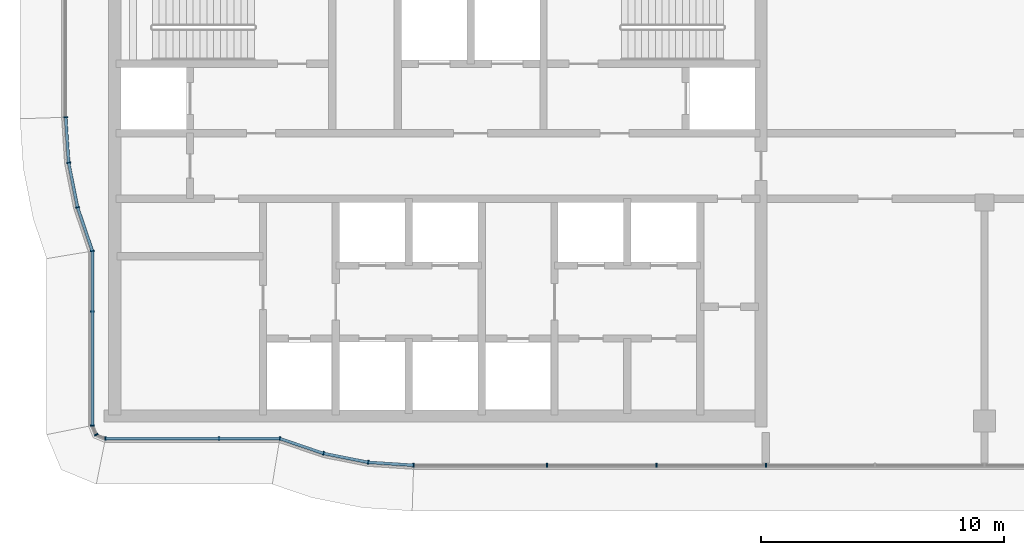
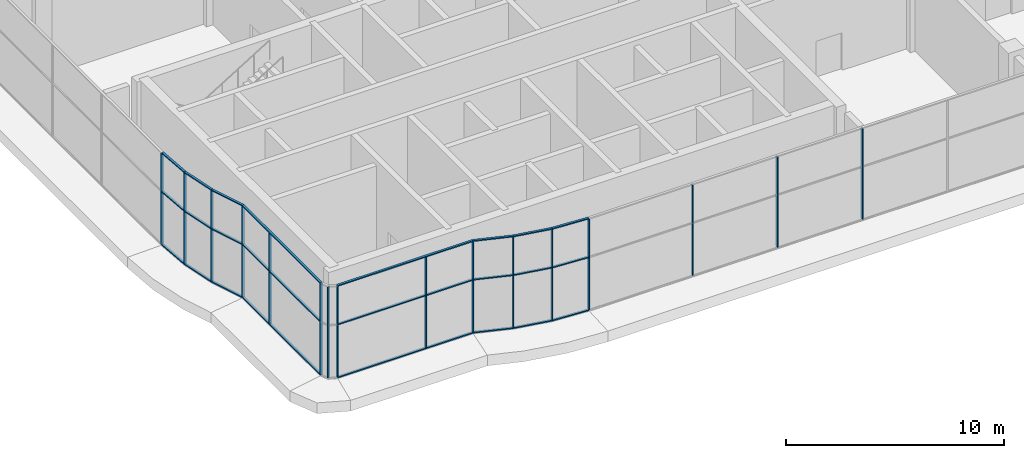
# One storey, part 2 of 23: 40 members, 7 elements without a shape of their own.
"""IFC4 building model written with IfcOpenShell, lengths in metres."""

from ifc_helpers import new_model, si_unit, direction, frame, origin, origin_2d, place, context, subcontext, project, spatial, rectangle, extrude, material, material_profile, profile_set, type_object, element, aggregate, save


model = new_model("IFC4")

# Units and contexts
model_context = context("Model", 3, precision=1e-05, world=origin(), true_north=direction((0.0, 1.0)))
body_context = subcontext(model_context, "Body", "Model", "MODEL_VIEW")
ifc_project = project(units=[si_unit("LENGTHUNIT", "METRE"), si_unit("AREAUNIT", "SQUARE_METRE"), si_unit("VOLUMEUNIT", "CUBIC_METRE"), si_unit("PLANEANGLEUNIT", "RADIAN"), si_unit("MASSUNIT", "GRAM", prefix="KILO")], contexts=[model_context])

# Site, building, storey
site_placement = place(None, origin())
site = spatial("IfcSite", under=ifc_project, at=site_placement, CompositionType="ELEMENT")
building_placement = place(site_placement, origin())
building = spatial("IfcBuilding", under=site, at=building_placement, Name="Ogive Portal Towers", CompositionType="ELEMENT")
storey_placement = place(building_placement, frame((0.0, 0.0, 249.39990234375)))
storey = spatial("IfcBuildingStorey", under=building, at=storey_placement, Name="L62", CompositionType="ELEMENT", Elevation=249.39990234375)

# Curtain wall, members
ifc_material_1 = material(Name="Glass, clear low-iron insulated glazing", Category="glass")
curtain_wall_type = type_object("IfcCurtainWallType", Name="CW OBSERVATION WALL", PredefinedType="NOTDEFINED", material=ifc_material_1)
curtain_wall_1_placement = place(storey_placement, origin())
curtain_wall_1 = element("IfcCurtainWall", 1, at=curtain_wall_1_placement, inside=storey, type_object=curtain_wall_type, Name="A:L62:f00:cw0", PredefinedType="NOTDEFINED")
ifc_material_2 = material(Name="Aluminium 6063 anodised", Category="aluminium")
ifc_material_profile_1 = material_profile(ifc_material_2, rectangle(XDim=0.159912109375, YDim=0.06005859375, at=origin_2d()), Name="AL 60x160")
ifc_profile_set_1 = profile_set([ifc_material_profile_1], Name="Aluminium 6063 anodised")
member_type_1 = type_object("IfcMemberType", Name="CW MULLION 60x160", PredefinedType="MULLION", material=ifc_profile_set_1)
member_1_placement = place(storey_placement, frame((30.780029296875, 28.494873046875, 0.06005859375), z_axis=(0.0, 0.0, 1.0), x_axis=(1.0, 0.0, 0.0)))
member_1 = element("IfcMember", 2, at=member_1_placement, type_object=member_type_1, Name="mullion", PredefinedType="MULLION", context=body_context, shape_type="SweptSolid", body=[
    extrude(rectangle(XDim=0.159912109375, YDim=0.06005859375, at=origin_2d()), origin(), (0.0, 0.0, 1.0), 5.080078125),
])
member_2_placement = place(storey_placement, frame((30.780029296875, 26.0, 0.06005859375), z_axis=(0.0, 0.0, 1.0), x_axis=(1.0, 0.0, 0.0)))
member_2 = element("IfcMember", 3, at=member_2_placement, type_object=member_type_1, Name="mullion", PredefinedType="MULLION", context=body_context, shape_type="SweptSolid", body=[
    extrude(rectangle(XDim=0.159912109375, YDim=0.06005859375, at=origin_2d()), origin(), (0.0, 0.0, 1.0), 5.080078125),
])
member_3_placement = place(storey_placement, frame((30.780029296875, 21.31591796875, 0.06005859375), z_axis=(0.0, 0.0, 1.0), x_axis=(1.0, 0.0, 0.0)))
member_3 = element("IfcMember", 4, at=member_3_placement, type_object=member_type_1, Name="mullion", PredefinedType="MULLION", context=body_context, shape_type="SweptSolid", body=[
    extrude(rectangle(XDim=0.159912109375, YDim=0.06005859375, at=origin_2d()), origin(), (0.0, 0.0, 1.0), 5.080078125),
])

curtain_wall_2_placement = place(storey_placement, origin())
curtain_wall_2 = element("IfcCurtainWall", 5, at=curtain_wall_2_placement, inside=storey, type_object=curtain_wall_type, Name="A:L62:f03:cw0", PredefinedType="NOTDEFINED")
member_4_placement = place(storey_placement, frame((31.31591796875, 20.780029296875, 0.06005859375), z_axis=(0.0, 0.0, 1.0), x_axis=(0.0, 1.0, 0.0)))
member_4 = element("IfcMember", 6, at=member_4_placement, type_object=member_type_1, Name="mullion", PredefinedType="MULLION", context=body_context, shape_type="SweptSolid", body=[
    extrude(rectangle(XDim=0.159912109375, YDim=0.06005859375, at=origin_2d()), origin(), (0.0, 0.0, 1.0), 5.080078125),
])
member_5_placement = place(storey_placement, frame((36.0, 20.780029296875, 0.06005859375), z_axis=(0.0, 0.0, 1.0), x_axis=(0.0, 1.0, 0.0)))
member_5 = element("IfcMember", 7, at=member_5_placement, type_object=member_type_1, Name="mullion", PredefinedType="MULLION", context=body_context, shape_type="SweptSolid", body=[
    extrude(rectangle(XDim=0.159912109375, YDim=0.06005859375, at=origin_2d()), origin(), (0.0, 0.0, 1.0), 5.080078125),
])
member_6_placement = place(storey_placement, frame((38.494873046875, 20.780029296875, 0.06005859375), z_axis=(0.0, 0.0, 1.0), x_axis=(0.0, 1.0, 0.0)))
member_6 = element("IfcMember", 8, at=member_6_placement, type_object=member_type_1, Name="mullion", PredefinedType="MULLION", context=body_context, shape_type="SweptSolid", body=[
    extrude(rectangle(XDim=0.159912109375, YDim=0.06005859375, at=origin_2d()), origin(), (0.0, 0.0, 1.0), 5.080078125),
])

curtain_wall_3_placement = place(storey_placement, origin())
curtain_wall_3 = element("IfcCurtainWall", 9, at=curtain_wall_3_placement, inside=storey, type_object=curtain_wall_type, Name="A:L62:f07:cw0", PredefinedType="NOTDEFINED")
member_7_placement = place(storey_placement, frame((44.002685546875, 19.679931640625, 0.06005859375), z_axis=(0.0, 0.0, 1.0), x_axis=(0.0, 1.0, 0.0)))
member_7 = element("IfcMember", 10, at=member_7_placement, type_object=member_type_1, Name="mullion", PredefinedType="MULLION", context=body_context, shape_type="SweptSolid", body=[
    extrude(rectangle(XDim=0.159912109375, YDim=0.06005859375, at=origin_2d()), origin(), (0.0, 0.0, 1.0), 5.080078125),
])
member_8_placement = place(storey_placement, frame((49.5, 19.679931640625, 0.06005859375), z_axis=(0.0, 0.0, 1.0), x_axis=(0.0, 1.0, 0.0)))
member_8 = element("IfcMember", 11, at=member_8_placement, type_object=member_type_1, Name="mullion", PredefinedType="MULLION", context=body_context, shape_type="SweptSolid", body=[
    extrude(rectangle(XDim=0.159912109375, YDim=0.06005859375, at=origin_2d()), origin(), (0.0, 0.0, 1.0), 5.080078125),
])
member_9_placement = place(storey_placement, frame((54.0, 19.679931640625, 0.06005859375), z_axis=(0.0, 0.0, 1.0), x_axis=(0.0, 1.0, 0.0)))
member_9 = element("IfcMember", 12, at=member_9_placement, type_object=member_type_1, Name="mullion", PredefinedType="MULLION", context=body_context, shape_type="SweptSolid", body=[
    extrude(rectangle(XDim=0.159912109375, YDim=0.06005859375, at=origin_2d()), origin(), (0.0, 0.0, 1.0), 5.080078125),
])
member_10_placement = place(storey_placement, frame((58.5, 19.679931640625, 0.06005859375), z_axis=(0.0, 0.0, 1.0), x_axis=(0.0, 1.0, 0.0)))
member_10 = element("IfcMember", 13, at=member_10_placement, type_object=member_type_1, Name="mullion", PredefinedType="MULLION", context=body_context, shape_type="SweptSolid", body=[
    extrude(rectangle(XDim=0.159912109375, YDim=0.06005859375, at=origin_2d()), origin(), (0.0, 0.0, 1.0), 5.080078125),
])
aggregate(curtain_wall_3, [member_7, member_8, member_9, member_10])

# Curtain wall, member
curtain_wall_4_placement = place(storey_placement, origin())
curtain_wall_4 = element("IfcCurtainWall", 14, at=curtain_wall_4_placement, inside=storey, type_object=curtain_wall_type, Name="A:L62:f25:cw0", PredefinedType="NOTDEFINED")
member_11_placement = place(storey_placement, frame((29.679931640625, 34.002685546875, 0.06005859375), z_axis=(0.0, 0.0, 1.0), x_axis=(1.0, 0.0, 0.0)))
member_11 = element("IfcMember", 15, at=member_11_placement, type_object=member_type_1, Name="mullion", PredefinedType="MULLION", context=body_context, shape_type="SweptSolid", body=[
    extrude(rectangle(XDim=0.159912109375, YDim=0.06005859375, at=origin_2d()), origin(), (0.0, 0.0, 1.0), 5.080078125),
])
aggregate(curtain_wall_4, [member_11])

curtain_wall_5_placement = place(storey_placement, origin())
curtain_wall_5 = element("IfcCurtainWall", 16, at=curtain_wall_5_placement, inside=storey, type_object=curtain_wall_type, Name="A:L62:f01:cwa", PredefinedType="NOTDEFINED")
member_12_placement = place(storey_placement, frame((30.93701171875, 20.93701171875, 0.06005859375), z_axis=(0.0, 0.0, 1.0), x_axis=(0.923879532511, 0.382683432365, 0.0)))
member_12 = element("IfcMember", 17, at=member_12_placement, type_object=member_type_1, Name="mullion", PredefinedType="MULLION", context=body_context, shape_type="SweptSolid", body=[
    extrude(rectangle(XDim=0.159912109375, YDim=0.06005859375, at=origin_2d()), origin(), (0.0, 0.0, 1.0), 5.080078125),
])
aggregate(curtain_wall_5, [member_12])

# Curtain wall, members
curtain_wall_6_placement = place(storey_placement, origin())
curtain_wall_6 = element("IfcCurtainWall", 18, at=curtain_wall_6_placement, inside=storey, type_object=curtain_wall_type, Name="A:L62:f04:cwa", PredefinedType="NOTDEFINED")
member_13_placement = place(storey_placement, frame((40.293701171875, 20.168212890625, 0.06005859375), z_axis=(0.0, 0.0, 1.0), x_axis=(0.322010234759, 0.946736187494, 0.0)))
member_13 = element("IfcMember", 19, at=member_13_placement, type_object=member_type_1, Name="mullion", PredefinedType="MULLION", context=body_context, shape_type="SweptSolid", body=[
    extrude(rectangle(XDim=0.159912109375, YDim=0.06005859375, at=origin_2d()), origin(), (0.0, 0.0, 1.0), 5.080078125),
])
member_14_placement = place(storey_placement, frame((42.130859375, 19.802734375, 0.06005859375), z_axis=(0.0, 0.0, 1.0), x_axis=(0.195090322016, 0.980785280403, 0.0)))
member_14 = element("IfcMember", 20, at=member_14_placement, type_object=member_type_1, Name="mullion", PredefinedType="MULLION", context=body_context, shape_type="SweptSolid", body=[
    extrude(rectangle(XDim=0.159912109375, YDim=0.06005859375, at=origin_2d()), origin(), (0.0, 0.0, 1.0), 5.080078125),
])

curtain_wall_7_placement = place(storey_placement, origin())
curtain_wall_7 = element("IfcCurtainWall", 21, at=curtain_wall_7_placement, inside=storey, type_object=curtain_wall_type, Name="A:L62:f26:cwa", PredefinedType="NOTDEFINED")
member_15_placement = place(storey_placement, frame((29.802734375, 32.130859375, 0.06005859375), z_axis=(0.0, 0.0, 1.0), x_axis=(0.997858923239, 0.06540312923, 0.0)))
member_15 = element("IfcMember", 22, at=member_15_placement, type_object=member_type_1, Name="mullion", PredefinedType="MULLION", context=body_context, shape_type="SweptSolid", body=[
    extrude(rectangle(XDim=0.159912109375, YDim=0.06005859375, at=origin_2d()), origin(), (0.0, 0.0, 1.0), 5.080078125),
])
member_16_placement = place(storey_placement, frame((30.168212890625, 30.293701171875, 0.06005859375), z_axis=(0.0, 0.0, 1.0), x_axis=(0.980785280403, 0.195090322016, 0.0)))
member_16 = element("IfcMember", 23, at=member_16_placement, type_object=member_type_1, Name="mullion", PredefinedType="MULLION", context=body_context, shape_type="SweptSolid", body=[
    extrude(rectangle(XDim=0.159912109375, YDim=0.06005859375, at=origin_2d()), origin(), (0.0, 0.0, 1.0), 5.080078125),
])

# Member
ifc_material_profile_2 = material_profile(ifc_material_2, rectangle(XDim=0.1201171875, YDim=0.06005859375, at=origin_2d()), Name="AL 120x60")
ifc_profile_set_2 = profile_set([ifc_material_profile_2], Name="Aluminium 6063 anodised")
member_type_2 = type_object("IfcMemberType", Name="CW TRANSOM 60x120", PredefinedType="USERDEFINED", material=ifc_profile_set_2)
member_17_placement = place(storey_placement, frame((30.780029296875, 28.494873046875, 0.030029296875), z_axis=(0.0, -1.0, 0.0), x_axis=(1.0, 0.0, 0.0)))
member_17 = element("IfcMember", 24, at=member_17_placement, type_object=member_type_2, Name="transom", ObjectType="TRANSOM", PredefinedType="USERDEFINED", context=body_context, shape_type="SweptSolid", body=[
    extrude(rectangle(XDim=0.1201171875, YDim=0.06005859375, at=origin_2d()), origin(), (0.0, 0.0, 1.0), 7.178955078125),
])

member_18_placement = place(storey_placement, frame((30.780029296875, 28.494873046875, 3.0), z_axis=(0.0, -1.0, 0.0), x_axis=(1.0, 0.0, 0.0)))
member_18 = element("IfcMember", 25, at=member_18_placement, type_object=member_type_2, Name="transom", ObjectType="TRANSOM", PredefinedType="USERDEFINED", context=body_context, shape_type="SweptSolid", body=[
    extrude(rectangle(XDim=0.1201171875, YDim=0.06005859375, at=origin_2d()), origin(), (0.0, 0.0, 1.0), 7.178955078125),
])

member_19_placement = place(storey_placement, frame((30.780029296875, 28.494873046875, 5.170166015625), z_axis=(0.0, -1.0, 0.0), x_axis=(1.0, 0.0, 0.0)))
member_19 = element("IfcMember", 26, at=member_19_placement, type_object=member_type_2, Name="transom", ObjectType="TRANSOM", PredefinedType="USERDEFINED", context=body_context, shape_type="SweptSolid", body=[
    extrude(rectangle(XDim=0.1201171875, YDim=0.06005859375, at=origin_2d()), origin(), (0.0, 0.0, 1.0), 7.178955078125),
])

aggregate(curtain_wall_1, [member_17, member_18, member_19, member_1, member_2, member_3])

member_20_placement = place(storey_placement, frame((31.31591796875, 20.780029296875, 0.030029296875), z_axis=(1.0, 0.0, 0.0), x_axis=(0.0, 1.0, 0.0)))
member_20 = element("IfcMember", 27, at=member_20_placement, type_object=member_type_2, Name="transom", ObjectType="TRANSOM", PredefinedType="USERDEFINED", context=body_context, shape_type="SweptSolid", body=[
    extrude(rectangle(XDim=0.1201171875, YDim=0.06005859375, at=origin_2d()), origin(), (0.0, 0.0, 1.0), 7.178955078125),
])

member_21_placement = place(storey_placement, frame((31.31591796875, 20.780029296875, 3.0), z_axis=(1.0, 0.0, 0.0), x_axis=(0.0, 1.0, 0.0)))
member_21 = element("IfcMember", 28, at=member_21_placement, type_object=member_type_2, Name="transom", ObjectType="TRANSOM", PredefinedType="USERDEFINED", context=body_context, shape_type="SweptSolid", body=[
    extrude(rectangle(XDim=0.1201171875, YDim=0.06005859375, at=origin_2d()), origin(), (0.0, 0.0, 1.0), 7.178955078125),
])

member_22_placement = place(storey_placement, frame((31.31591796875, 20.780029296875, 5.170166015625), z_axis=(1.0, 0.0, 0.0), x_axis=(0.0, 1.0, 0.0)))
member_22 = element("IfcMember", 29, at=member_22_placement, type_object=member_type_2, Name="transom", ObjectType="TRANSOM", PredefinedType="USERDEFINED", context=body_context, shape_type="SweptSolid", body=[
    extrude(rectangle(XDim=0.1201171875, YDim=0.06005859375, at=origin_2d()), origin(), (0.0, 0.0, 1.0), 7.178955078125),
])

aggregate(curtain_wall_2, [member_20, member_21, member_22, member_4, member_5, member_6])

member_23_placement = place(storey_placement, frame((38.494873046875, 20.780029296875, 0.030029296875), z_axis=(0.946738277956, -0.322004088566, 0.0), x_axis=(0.322004088566, 0.946738277956, 0.0)))
member_23 = element("IfcMember", 30, at=member_23_placement, type_object=member_type_2, Name="transom", ObjectType="TRANSOM", PredefinedType="USERDEFINED", context=body_context, shape_type="SweptSolid", body=[
    extrude(rectangle(XDim=0.1201171875, YDim=0.06005859375, at=origin_2d()), origin(), (0.0, 0.0, 1.0), 1.900146484375),
])

member_24_placement = place(storey_placement, frame((38.494873046875, 20.780029296875, 3.0), z_axis=(0.946738277956, -0.322004088566, 0.0), x_axis=(0.322004088566, 0.946738277956, 0.0)))
member_24 = element("IfcMember", 31, at=member_24_placement, type_object=member_type_2, Name="transom", ObjectType="TRANSOM", PredefinedType="USERDEFINED", context=body_context, shape_type="SweptSolid", body=[
    extrude(rectangle(XDim=0.1201171875, YDim=0.06005859375, at=origin_2d()), origin(), (0.0, 0.0, 1.0), 1.900146484375),
])

member_25_placement = place(storey_placement, frame((38.494873046875, 20.780029296875, 5.170166015625), z_axis=(0.946738277956, -0.322004088566, 0.0), x_axis=(0.322004088566, 0.946738277956, 0.0)))
member_25 = element("IfcMember", 32, at=member_25_placement, type_object=member_type_2, Name="transom", ObjectType="TRANSOM", PredefinedType="USERDEFINED", context=body_context, shape_type="SweptSolid", body=[
    extrude(rectangle(XDim=0.1201171875, YDim=0.06005859375, at=origin_2d()), origin(), (0.0, 0.0, 1.0), 1.900146484375),
])

member_26_placement = place(storey_placement, frame((40.293701171875, 20.168212890625, 0.030029296875), z_axis=(0.980780680537, -0.195113445683, 0.0), x_axis=(0.195113445683, 0.980780680537, 0.0)))
member_26 = element("IfcMember", 33, at=member_26_placement, type_object=member_type_2, Name="transom", ObjectType="TRANSOM", PredefinedType="USERDEFINED", context=body_context, shape_type="SweptSolid", body=[
    extrude(rectangle(XDim=0.1201171875, YDim=0.06005859375, at=origin_2d()), origin(), (0.0, 0.0, 1.0), 1.873046875),
])

member_27_placement = place(storey_placement, frame((40.293701171875, 20.168212890625, 3.0), z_axis=(0.980780680537, -0.195113445683, 0.0), x_axis=(0.195113445683, 0.980780680537, 0.0)))
member_27 = element("IfcMember", 34, at=member_27_placement, type_object=member_type_2, Name="transom", ObjectType="TRANSOM", PredefinedType="USERDEFINED", context=body_context, shape_type="SweptSolid", body=[
    extrude(rectangle(XDim=0.1201171875, YDim=0.06005859375, at=origin_2d()), origin(), (0.0, 0.0, 1.0), 1.873046875),
])

member_28_placement = place(storey_placement, frame((40.293701171875, 20.168212890625, 5.170166015625), z_axis=(0.980780680537, -0.195113445683, 0.0), x_axis=(0.195113445683, 0.980780680537, 0.0)))
member_28 = element("IfcMember", 35, at=member_28_placement, type_object=member_type_2, Name="transom", ObjectType="TRANSOM", PredefinedType="USERDEFINED", context=body_context, shape_type="SweptSolid", body=[
    extrude(rectangle(XDim=0.1201171875, YDim=0.06005859375, at=origin_2d()), origin(), (0.0, 0.0, 1.0), 1.873046875),
])

member_29_placement = place(storey_placement, frame((42.130859375, 19.802734375, 0.030029296875), z_axis=(0.997854858908, -0.065465109434, 0.0), x_axis=(0.065465109434, 0.997854858908, 0.0)))
member_29 = element("IfcMember", 36, at=member_29_placement, type_object=member_type_2, Name="transom", ObjectType="TRANSOM", PredefinedType="USERDEFINED", context=body_context, shape_type="SweptSolid", body=[
    extrude(rectangle(XDim=0.1201171875, YDim=0.06005859375, at=origin_2d()), origin(), (0.0, 0.0, 1.0), 1.875732421875),
])

member_30_placement = place(storey_placement, frame((42.130859375, 19.802734375, 3.0), z_axis=(0.997854858908, -0.065465109434, 0.0), x_axis=(0.065465109434, 0.997854858908, 0.0)))
member_30 = element("IfcMember", 37, at=member_30_placement, type_object=member_type_2, Name="transom", ObjectType="TRANSOM", PredefinedType="USERDEFINED", context=body_context, shape_type="SweptSolid", body=[
    extrude(rectangle(XDim=0.1201171875, YDim=0.06005859375, at=origin_2d()), origin(), (0.0, 0.0, 1.0), 1.875732421875),
])

member_31_placement = place(storey_placement, frame((42.130859375, 19.802734375, 5.170166015625), z_axis=(0.997854858908, -0.065465109434, 0.0), x_axis=(0.065465109434, 0.997854858908, 0.0)))
member_31 = element("IfcMember", 38, at=member_31_placement, type_object=member_type_2, Name="transom", ObjectType="TRANSOM", PredefinedType="USERDEFINED", context=body_context, shape_type="SweptSolid", body=[
    extrude(rectangle(XDim=0.1201171875, YDim=0.06005859375, at=origin_2d()), origin(), (0.0, 0.0, 1.0), 1.875732421875),
])

aggregate(curtain_wall_6, [member_23, member_24, member_25, member_26, member_27, member_28, member_29, member_30, member_31, member_13, member_14])

member_32_placement = place(storey_placement, frame((29.679931640625, 34.002685546875, 0.030029296875), z_axis=(0.065465109434, -0.997854858908, 0.0), x_axis=(0.997854858908, 0.065465109434, 0.0)))
member_32 = element("IfcMember", 39, at=member_32_placement, type_object=member_type_2, Name="transom", ObjectType="TRANSOM", PredefinedType="USERDEFINED", context=body_context, shape_type="SweptSolid", body=[
    extrude(rectangle(XDim=0.1201171875, YDim=0.06005859375, at=origin_2d()), origin(), (0.0, 0.0, 1.0), 1.875732421875),
])

member_33_placement = place(storey_placement, frame((29.679931640625, 34.002685546875, 3.0), z_axis=(0.065465109434, -0.997854858908, 0.0), x_axis=(0.997854858908, 0.065465109434, 0.0)))
member_33 = element("IfcMember", 40, at=member_33_placement, type_object=member_type_2, Name="transom", ObjectType="TRANSOM", PredefinedType="USERDEFINED", context=body_context, shape_type="SweptSolid", body=[
    extrude(rectangle(XDim=0.1201171875, YDim=0.06005859375, at=origin_2d()), origin(), (0.0, 0.0, 1.0), 1.875732421875),
])

member_34_placement = place(storey_placement, frame((29.679931640625, 34.002685546875, 5.170166015625), z_axis=(0.065465109434, -0.997854858908, 0.0), x_axis=(0.997854858908, 0.065465109434, 0.0)))
member_34 = element("IfcMember", 41, at=member_34_placement, type_object=member_type_2, Name="transom", ObjectType="TRANSOM", PredefinedType="USERDEFINED", context=body_context, shape_type="SweptSolid", body=[
    extrude(rectangle(XDim=0.1201171875, YDim=0.06005859375, at=origin_2d()), origin(), (0.0, 0.0, 1.0), 1.875732421875),
])

member_35_placement = place(storey_placement, frame((29.802734375, 32.130859375, 0.030029296875), z_axis=(0.195113445683, -0.980780680537, 0.0), x_axis=(0.980780680537, 0.195113445683, 0.0)))
member_35 = element("IfcMember", 42, at=member_35_placement, type_object=member_type_2, Name="transom", ObjectType="TRANSOM", PredefinedType="USERDEFINED", context=body_context, shape_type="SweptSolid", body=[
    extrude(rectangle(XDim=0.1201171875, YDim=0.06005859375, at=origin_2d()), origin(), (0.0, 0.0, 1.0), 1.873046875),
])

member_36_placement = place(storey_placement, frame((29.802734375, 32.130859375, 3.0), z_axis=(0.195113445683, -0.980780680537, 0.0), x_axis=(0.980780680537, 0.195113445683, 0.0)))
member_36 = element("IfcMember", 43, at=member_36_placement, type_object=member_type_2, Name="transom", ObjectType="TRANSOM", PredefinedType="USERDEFINED", context=body_context, shape_type="SweptSolid", body=[
    extrude(rectangle(XDim=0.1201171875, YDim=0.06005859375, at=origin_2d()), origin(), (0.0, 0.0, 1.0), 1.873046875),
])

member_37_placement = place(storey_placement, frame((29.802734375, 32.130859375, 5.170166015625), z_axis=(0.195113445683, -0.980780680537, 0.0), x_axis=(0.980780680537, 0.195113445683, 0.0)))
member_37 = element("IfcMember", 44, at=member_37_placement, type_object=member_type_2, Name="transom", ObjectType="TRANSOM", PredefinedType="USERDEFINED", context=body_context, shape_type="SweptSolid", body=[
    extrude(rectangle(XDim=0.1201171875, YDim=0.06005859375, at=origin_2d()), origin(), (0.0, 0.0, 1.0), 1.873046875),
])

member_38_placement = place(storey_placement, frame((30.168212890625, 30.293701171875, 0.030029296875), z_axis=(0.322004088566, -0.946738277956, 0.0), x_axis=(0.946738277956, 0.322004088566, 0.0)))
member_38 = element("IfcMember", 45, at=member_38_placement, type_object=member_type_2, Name="transom", ObjectType="TRANSOM", PredefinedType="USERDEFINED", context=body_context, shape_type="SweptSolid", body=[
    extrude(rectangle(XDim=0.1201171875, YDim=0.06005859375, at=origin_2d()), origin(), (0.0, 0.0, 1.0), 1.900146484375),
])

member_39_placement = place(storey_placement, frame((30.168212890625, 30.293701171875, 3.0), z_axis=(0.322004088566, -0.946738277956, 0.0), x_axis=(0.946738277956, 0.322004088566, 0.0)))
member_39 = element("IfcMember", 46, at=member_39_placement, type_object=member_type_2, Name="transom", ObjectType="TRANSOM", PredefinedType="USERDEFINED", context=body_context, shape_type="SweptSolid", body=[
    extrude(rectangle(XDim=0.1201171875, YDim=0.06005859375, at=origin_2d()), origin(), (0.0, 0.0, 1.0), 1.900146484375),
])

member_40_placement = place(storey_placement, frame((30.168212890625, 30.293701171875, 5.170166015625), z_axis=(0.322004088566, -0.946738277956, 0.0), x_axis=(0.946738277956, 0.322004088566, 0.0)))
member_40 = element("IfcMember", 47, at=member_40_placement, type_object=member_type_2, Name="transom", ObjectType="TRANSOM", PredefinedType="USERDEFINED", context=body_context, shape_type="SweptSolid", body=[
    extrude(rectangle(XDim=0.1201171875, YDim=0.06005859375, at=origin_2d()), origin(), (0.0, 0.0, 1.0), 1.900146484375),
])

aggregate(curtain_wall_7, [member_32, member_33, member_34, member_35, member_36, member_37, member_38, member_39, member_40, member_15, member_16])

save(model, "model.ifc")
